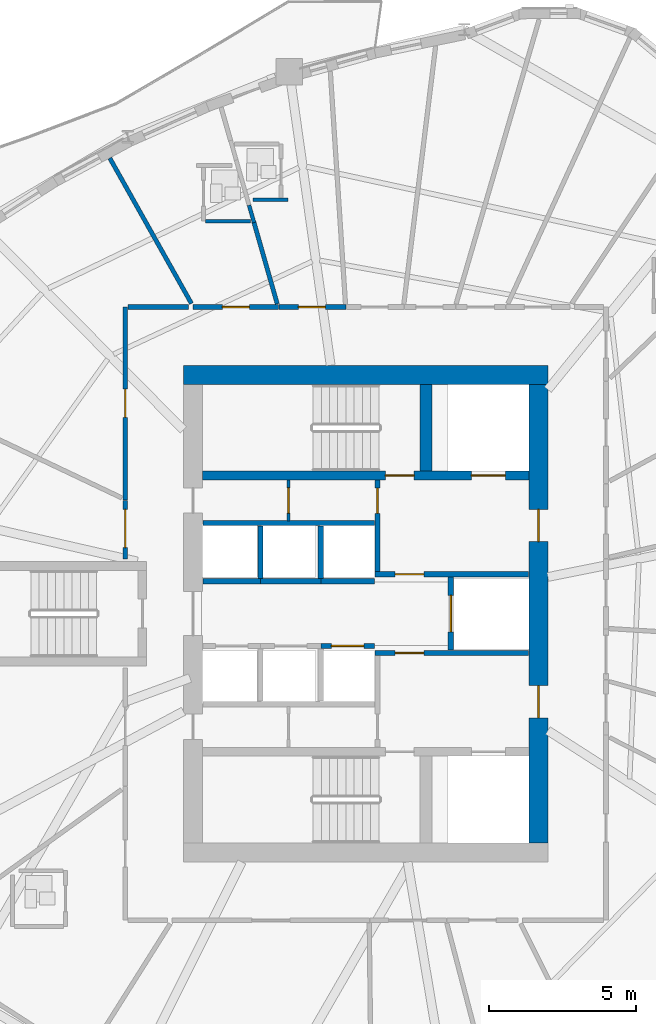
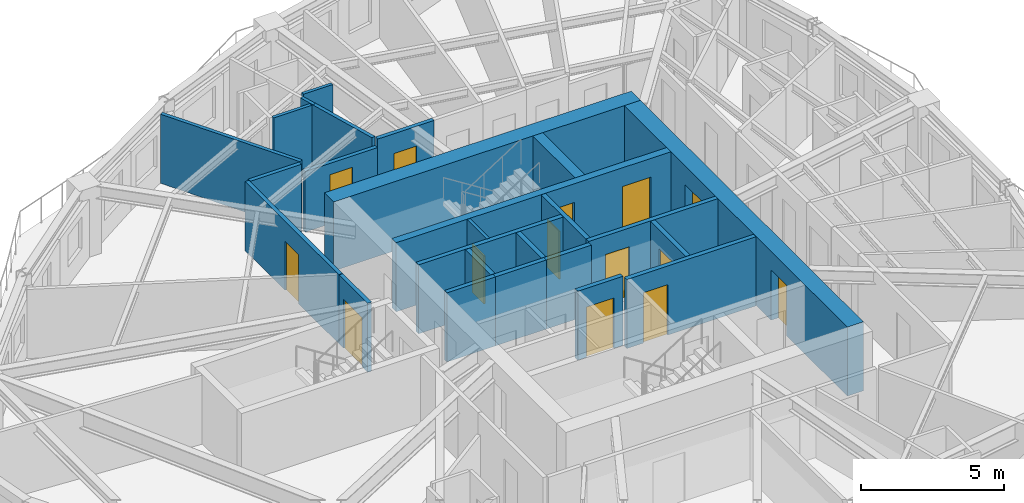
# One storey, part 8 of 17: 26 walls, 14 doors, 14 openings.
"""IFC4 building model written with IfcOpenShell, lengths in metres."""

import ifcopenshell
import ifcopenshell.guid

model = None  # the IFC model being written
_history = None  # IfcOwnerHistory: only IFC2X3 demands one
_inside = {}  # id of a spatial element -> (the spatial element, [elements in it])
_under = {}  # id of a project, library or spatial element -> (it, [spatial elements below it])
_declared = {}  # id of a project -> (the project, [libraries it declares])
_typed = {}  # id of a type object -> (the type object, [elements of that type])
_made_of = {}  # id of a material, layer set ... -> (it, [elements and type objects made of it])


def new_model(schema):
    """Start an empty IFC model of exactly this schema.

    Asked for "IFC4X3", IfcOpenShell would pick the latest addendum, in which some entities
    have other attributes; the version numbers below select the first issue.
    IFC2X3 requires an IfcOwnerHistory on every rooted entity: one is made here for all.
    """
    global model, _history
    if schema == "IFC4X3":
        model = ifcopenshell.file(schema_version=(4, 3, 0, 0))
    else:
        model = ifcopenshell.file(schema=schema)
    _inside.clear()
    _under.clear()
    _declared.clear()
    _typed.clear()
    _made_of.clear()
    _history = None
    if model.schema == "IFC2X3":
        org = make("IfcOrganization", Name="unknown")
        user = make(
            "IfcPersonAndOrganization",
            ThePerson=make("IfcPerson", FamilyName="unknown"),
            TheOrganization=org,
        )
        app = make(
            "IfcApplication",
            ApplicationDeveloper=org,
            Version="unknown",
            ApplicationFullName="unknown",
            ApplicationIdentifier="unknown",
        )
        _history = make(
            "IfcOwnerHistory",
            OwningUser=user,
            OwningApplication=app,
            ChangeAction="ADDED",
            CreationDate=0,
        )
    return model


def make(cls, **values):
    """One entity of the class cls with the attributes given. An attribute that is None is left unset."""
    return model.create_entity(
        cls, **{name: value for name, value in values.items() if value is not None}
    )


def rooted(cls, **values):
    """An entity with a GlobalId (a new one), such as an element, a storey or a relation."""
    return make(cls, GlobalId=ifcopenshell.guid.new(), OwnerHistory=_history, **values)


def si_unit(unit_type, name, prefix=None):
    """IfcSIUnit, for example si_unit("LENGTHUNIT", "METRE", prefix="MILLI")."""
    return make("IfcSIUnit", UnitType=unit_type, Prefix=prefix, Name=name)


def assignment(units):
    """IfcUnitAssignment: the units of a project."""
    return None if units is None else make("IfcUnitAssignment", Units=units)


def point(xyz):
    """IfcCartesianPoint."""
    return None if xyz is None else make("IfcCartesianPoint", Coordinates=xyz)


def direction(xyz):
    """IfcDirection."""
    return None if xyz is None else make("IfcDirection", DirectionRatios=xyz)


def frame(location, z_axis=None, x_axis=None):
    """IfcAxis2Placement3D, a coordinate frame: its origin and axes. An axis left out is left unset."""
    return make(
        "IfcAxis2Placement3D",
        Location=point(location),
        Axis=direction(z_axis),
        RefDirection=direction(x_axis),
    )


def frame_2d(location, x_axis=None):
    """IfcAxis2Placement2D, a coordinate frame in the plane: its origin and x axis."""
    return make(
        "IfcAxis2Placement2D", Location=point(location), RefDirection=direction(x_axis)
    )


def origin():
    """The frame at (0, 0, 0) with its axes left unset."""
    return frame((0.0, 0.0, 0.0))


def place(relative_to, where):
    """IfcLocalPlacement: puts the frame where relative to a parent placement (None: the world)."""
    return make(
        "IfcLocalPlacement", PlacementRelTo=relative_to, RelativePlacement=where
    )


def context(
    kind, dimensions, precision=None, world=None, true_north=None, identifier=None
):
    """IfcGeometricRepresentationContext, for example the 3D "Model" context."""
    return make(
        "IfcGeometricRepresentationContext",
        ContextIdentifier=identifier,
        ContextType=kind,
        CoordinateSpaceDimension=dimensions,
        Precision=precision,
        WorldCoordinateSystem=world,
        TrueNorth=true_north,
    )


def subcontext(parent, identifier, kind, view, scale=None):
    """IfcGeometricRepresentationSubContext, for example "Body" below "Model"."""
    return make(
        "IfcGeometricRepresentationSubContext",
        ContextIdentifier=identifier,
        ContextType=kind,
        ParentContext=parent,
        TargetScale=scale,
        TargetView=view,
    )


def project(units=None, contexts=None):
    """IfcProject with its units and contexts."""
    return rooted(
        "IfcProject",
        Name="project",
        RepresentationContexts=contexts,
        UnitsInContext=assignment(units),
    )


def spatial(cls, under=None, at=None, **own):
    """A site, building, storey or space (cls), placed at a placement, below another one or the project."""
    s = rooted(cls, ObjectPlacement=at, **own)
    if under is not None:
        _under.setdefault(under.id(), (under, []))[1].append(s)
    return s


def profile(cls, at=None, kind="AREA", **sizes):
    """A parametric profile (cls). Its sizes go by their IFC names, for example OverallWidth=200.0."""
    return make(cls, ProfileType=kind, Position=at, **sizes)


def rectangle(**sizes):
    """IfcRectangleProfileDef."""
    return profile("IfcRectangleProfileDef", **sizes)


def extrude(swept, where, along, depth):
    """IfcExtrudedAreaSolid: the profile swept, set in the frame where, extruded along a direction by depth."""
    return make(
        "IfcExtrudedAreaSolid",
        SweptArea=swept,
        Position=where,
        ExtrudedDirection=direction(along),
        Depth=depth,
    )


def shape(context_of_items, identifier, shape_type, items):
    """IfcShapeRepresentation: the items that make up one representation, for example the "Body"."""
    return make(
        "IfcShapeRepresentation",
        ContextOfItems=context_of_items,
        RepresentationIdentifier=identifier,
        RepresentationType=shape_type,
        Items=items,
    )


def source(mapping_origin, context_of_items, identifier, shape_type, items):
    """IfcRepresentationMap: a shape defined once, which mapped items show again and again."""
    return make(
        "IfcRepresentationMap",
        MappingOrigin=mapping_origin,
        MappedRepresentation=shape(context_of_items, identifier, shape_type, items),
    )


def transform(
    local_origin,
    x_axis=None,
    y_axis=None,
    z_axis=None,
    scale=None,
    scale2=None,
    scale3=None,
    uniform=True,
):
    """IfcCartesianTransformationOperator3D, or its non-uniform kind. x_axis, y_axis, z_axis: its Axis1, 2, 3."""
    if uniform:
        return make(
            "IfcCartesianTransformationOperator3D",
            Axis1=direction(x_axis),
            Axis2=direction(y_axis),
            LocalOrigin=point(local_origin),
            Scale=scale,
            Axis3=direction(z_axis),
        )
    return make(
        "IfcCartesianTransformationOperator3DnonUniform",
        Axis1=direction(x_axis),
        Axis2=direction(y_axis),
        LocalOrigin=point(local_origin),
        Scale=scale,
        Axis3=direction(z_axis),
        Scale2=scale2,
        Scale3=scale3,
    )


def mapped(mapping_source, mapping_target):
    """IfcMappedItem: shows the shape of a source again, moved by a transform."""
    return make(
        "IfcMappedItem", MappingSource=mapping_source, MappingTarget=mapping_target
    )


def material(Name=None, Category=None):
    """IfcMaterial."""
    return make("IfcMaterial", Name=Name, Category=Category)


def layer(
    of_material, thickness, ventilated=None, Name=None, Category=None, Priority=None
):
    """IfcMaterialLayer: one layer of a wall or slab, of a material (None: an air gap)."""
    return make(
        "IfcMaterialLayer",
        Material=of_material,
        LayerThickness=thickness,
        IsVentilated=ventilated,
        Name=Name,
        Category=Category,
        Priority=Priority,
    )


def layer_set(layers, Name=None):
    """IfcMaterialLayerSet."""
    return make("IfcMaterialLayerSet", MaterialLayers=layers, LayerSetName=Name)


def made_of(thing, what):
    """Note that an element or type object is made of a material, layer set ...; save() writes the relation."""
    if what is not None:
        _made_of.setdefault(what.id(), (what, []))[1].append(thing)
    return thing


def type_object(cls, material=None, **own):
    """A type object (cls), such as IfcWallType, which elements share."""
    return made_of(rooted(cls, **own), material)


def element(
    cls,
    number,
    at=None,
    inside=None,
    cuts=None,
    type_object=None,
    material=None,
    context=None,
    identifier="Body",
    shape_type=None,
    held_by="IfcProductDefinitionShape",
    body=None,
    shapes=None,
    **own,
):
    """One element of the class cls, such as IfcWall. Its Tag is "e" and its number.

    at: its placement. inside: the storey or other place that contains it. cuts: it is an
    opening in that element (IfcRelVoidsElement). A single representation is given by context,
    identifier, shape_type and body (its items); several are given by shapes. held_by: the class
    of the entity that holds the representations. save() writes the other relations.
    """
    e = rooted(cls, Tag="e%d" % number, ObjectPlacement=at, **own)
    if body is not None:
        shapes = [shape(context, identifier, shape_type, body)]
    if shapes is not None:
        e.Representation = make(held_by, Representations=shapes)
    if inside is not None:
        _inside.setdefault(inside.id(), (inside, []))[1].append(e)
    if cuts is not None:
        rooted(
            "IfcRelVoidsElement", RelatingBuildingElement=cuts, RelatedOpeningElement=e
        )
    if type_object is not None:
        _typed.setdefault(type_object.id(), (type_object, []))[1].append(e)
    return made_of(e, material)


def fill(opening, filler):
    """IfcRelFillsElement: the door or window that sits in an opening."""
    return rooted(
        "IfcRelFillsElement",
        RelatingOpeningElement=opening,
        RelatedBuildingElement=filler,
    )


def aggregate(whole, parts):
    """IfcRelAggregates: a whole, such as a stair, and the parts it consists of."""
    return rooted("IfcRelAggregates", RelatingObject=whole, RelatedObjects=parts)


def save(model, path):
    """Write the relations noted so far, then the file.

    IfcRelAggregates (storeys below a building ...), IfcRelContainedInSpatialStructure (elements
    in a storey), IfcRelDefinesByType, IfcRelAssociatesMaterial and IfcRelDeclares: one each for
    every whole, place, type object, material and project.
    """
    for whole, parts in _under.values():
        aggregate(whole, parts)
    for where, things in _inside.values():
        rooted(
            "IfcRelContainedInSpatialStructure",
            RelatedElements=things,
            RelatingStructure=where,
        )
    for kind, things in _typed.values():
        rooted("IfcRelDefinesByType", RelatedObjects=things, RelatingType=kind)
    for what, things in _made_of.values():
        rooted("IfcRelAssociatesMaterial", RelatedObjects=things, RelatingMaterial=what)
    for by, libraries in _declared.values():
        rooted("IfcRelDeclares", RelatingContext=by, RelatedDefinitions=libraries)
    model.write(path)


model = new_model("IFC4")

# Units and contexts
model_context = context("Model", 3, precision=1e-05, world=origin(), true_north=direction((0.0, 1.0)))
body_context = subcontext(model_context, "Body", "Model", "MODEL_VIEW")
ifc_project = project(units=[si_unit("LENGTHUNIT", "METRE"), si_unit("AREAUNIT", "SQUARE_METRE"), si_unit("VOLUMEUNIT", "CUBIC_METRE"), si_unit("PLANEANGLEUNIT", "RADIAN"), si_unit("MASSUNIT", "GRAM", prefix="KILO")], contexts=[model_context])

# Site, building, storey
site_placement = place(None, origin())
site = spatial("IfcSite", under=ifc_project, at=site_placement, CompositionType="ELEMENT")
building_placement = place(site_placement, origin())
building = spatial("IfcBuilding", under=site, at=building_placement, Name="Qafzar Sky-Pleat Residences", CompositionType="ELEMENT")
storey_placement = place(building_placement, frame((0.0, 0.0, 115.199951171875)))
storey = spatial("IfcBuildingStorey", under=building, at=storey_placement, Name="L34", CompositionType="ELEMENT", Elevation=115.199951171875)

# Wall, opening, door
ifc_material_1 = material(Name="Acoustic gypsum plasterboard partition", Category="gypsum")
ifc_layer_1 = layer(ifc_material_1, 0.159912109375)
ifc_layer_set_1 = layer_set([ifc_layer_1], Name="Acoustic gypsum plasterboard partition")
wall_type_1 = type_object("IfcWallType", Name="PART-COR-160", PredefinedType="PARTITIONING", material=ifc_layer_set_1)
wall_1_placement = place(storey_placement, frame((22.169921875, 29.864990234375, 0.0), z_axis=(0.0, 0.0, 1.0), x_axis=(0.0, 1.0, 0.0)))
wall_1 = element("IfcWall", 1, at=wall_1_placement, inside=storey, type_object=wall_type_1, Name="L34 Partition Wall PART-L34-PW-003", PredefinedType="PARTITIONING", context=body_context, shape_type="SweptSolid", body=[
    extrude(rectangle(XDim=6.56494140625, YDim=0.159912109375, at=frame_2d((3.282470703125, 0.0))), origin(), (0.0, 0.0, 1.0), 2.949951171875),
])
opening_1_placement = place(wall_1_placement, frame((2.810546875, 0.0, 0.0)))
opening_1 = element("IfcOpeningElement", 2, at=opening_1_placement, cuts=wall_1, Name="Opening ID-06", PredefinedType="OPENING", context=body_context, shape_type="SweptSolid", body=[
    extrude(rectangle(XDim=0.9599609375, YDim=2.10009765625, at=frame_2d((0.47998046875, 1.050048828125))), frame((0.0, 0.08984375, 0.0), z_axis=(0.0, -1.0, 0.0), x_axis=(1.0, 0.0, 0.0)), (0.0, 0.0, 1.0), 0.179931640625),
])
ifc_material_2 = material(Name="Timber-faced fire door", Category="wood")
door_type_1 = type_object("IfcDoorType", Name="DR-STD-960", OperationType="NOTDEFINED", PredefinedType="DOOR", material=ifc_material_2)
shared_shape_1 = source(origin(), body_context, "Body", "SweptSolid", [
    extrude(rectangle(XDim=0.9599609375, YDim=2.10009765625, at=frame_2d((0.47998046875, 1.050048828125))), frame((0.0, 0.02490234375, 0.0), z_axis=(0.0, -1.0, 0.0), x_axis=(1.0, 0.0, 0.0)), (0.0, 0.0, 1.0), 0.050048828125),
])
door_1_placement = place(opening_1_placement, origin())
door_1 = element("IfcDoor", 3, at=door_1_placement, inside=storey, type_object=door_type_1, Name="L34 Reading Library Door", OperationType="SINGLE_SWING_LEFT", OverallHeight=2.10009765625, OverallWidth=0.9599609375, PredefinedType="DOOR", context=body_context, shape_type="MappedRepresentation", body=[
    mapped(shared_shape_1, transform((0.0, 0.0, 0.0), x_axis=(1.0, 0.0, 0.0), y_axis=(0.0, 1.0, 0.0), z_axis=(0.0, 0.0, 1.0), scale=1.0)),
])
fill(opening_1, door_1)

wall_2_placement = place(storey_placement, frame((24.47412109375, 36.429931640625, 0.0), z_axis=(0.0, 0.0, 1.0), x_axis=(1.0, 0.0, 0.0)))
wall_2 = element("IfcWall", 4, at=wall_2_placement, inside=storey, type_object=wall_type_1, Name="L34 Partition Wall PART-L34-PW-009", PredefinedType="PARTITIONING", context=body_context, shape_type="SweptSolid", body=[
    extrude(rectangle(XDim=2.913818359375, YDim=0.159912109375, at=frame_2d((1.45703125, 0.0))), origin(), (0.0, 0.0, 1.0), 2.588134765625),
])
opening_2_placement = place(wall_2_placement, frame((0.99755859375, 0.0, 0.0)))
opening_2 = element("IfcOpeningElement", 5, at=opening_2_placement, cuts=wall_2, Name="Opening ID-04", PredefinedType="OPENING", context=body_context, shape_type="SweptSolid", body=[
    extrude(rectangle(XDim=0.919921875, YDim=2.10009765625, at=frame_2d((0.4599609375, 1.050048828125))), frame((0.0, 0.08984375, 0.0), z_axis=(0.0, -1.0, 0.0), x_axis=(1.0, 0.0, 0.0)), (0.0, 0.0, 1.0), 0.179931640625),
])
door_type_2 = type_object("IfcDoorType", Name="DR-BED-920", OperationType="NOTDEFINED", PredefinedType="DOOR", material=ifc_material_2)
shared_shape_2 = source(origin(), body_context, "Body", "SweptSolid", [
    extrude(rectangle(XDim=0.919921875, YDim=2.10009765625, at=frame_2d((0.4599609375, 1.050048828125))), frame((0.0, 0.02490234375, 0.0), z_axis=(0.0, -1.0, 0.0), x_axis=(1.0, 0.0, 0.0)), (0.0, 0.0, 1.0), 0.050048828125),
])
door_2_placement = place(opening_2_placement, origin())
door_2 = element("IfcDoor", 6, at=door_2_placement, inside=storey, type_object=door_type_2, Name="L34 Co-Living Bedroom 5 Door", OperationType="SINGLE_SWING_RIGHT", OverallHeight=2.10009765625, OverallWidth=0.919921875, PredefinedType="DOOR", context=body_context, shape_type="MappedRepresentation", body=[
    mapped(shared_shape_2, transform((0.0, 0.0, 0.0), x_axis=(1.0, 0.0, 0.0), y_axis=(0.0, 1.0, 0.0), z_axis=(0.0, 0.0, 1.0), scale=1.0)),
])
fill(opening_2, door_2)

wall_3_placement = place(storey_placement, frame((27.403076171875, 36.429931640625, 0.0), z_axis=(0.0, 0.0, 1.0), x_axis=(1.0, 0.0, 0.0)))
wall_3 = element("IfcWall", 7, at=wall_3_placement, inside=storey, type_object=wall_type_1, Name="L34 Partition Wall PART-L34-PW-015", PredefinedType="PARTITIONING", context=body_context, shape_type="SweptSolid", body=[
    extrude(rectangle(XDim=2.281982421875, YDim=0.159912109375, at=frame_2d((1.14111328125, 0.0))), origin(), (0.0, 0.0, 1.0), 2.949951171875),
])
opening_3_placement = place(wall_3_placement, frame((0.657958984375, 0.0, 0.0)))
opening_3 = element("IfcOpeningElement", 8, at=opening_3_placement, cuts=wall_3, Name="Opening ID-04", PredefinedType="OPENING", context=body_context, shape_type="SweptSolid", body=[
    extrude(rectangle(XDim=0.919921875, YDim=2.10009765625, at=frame_2d((0.4599609375, 1.050048828125))), frame((0.0, 0.08984375, 0.0), z_axis=(0.0, -1.0, 0.0), x_axis=(1.0, 0.0, 0.0)), (0.0, 0.0, 1.0), 0.179931640625),
])
door_3_placement = place(opening_3_placement, origin())
door_3 = element("IfcDoor", 9, at=door_3_placement, inside=storey, type_object=door_type_2, Name="L34 Co-Living Bedroom 6 Door", OperationType="SINGLE_SWING_LEFT", OverallHeight=2.10009765625, OverallWidth=0.919921875, PredefinedType="DOOR", context=body_context, shape_type="MappedRepresentation", body=[
    mapped(shared_shape_2, transform((0.0, 0.0, 0.0), x_axis=(1.0, 0.0, 0.0), y_axis=(0.0, 1.0, 0.0), z_axis=(0.0, 0.0, 1.0), scale=1.0)),
])
fill(opening_3, door_3)

wall_4_placement = place(storey_placement, frame((22.169921875, 27.85009765625, 0.0), z_axis=(0.0, 0.0, 1.0), x_axis=(0.0, 1.0, 0.0)))
wall_4 = element("IfcWall", 10, at=wall_4_placement, inside=storey, type_object=wall_type_1, Name="L34 Partition Wall PART-L34-PW-017", PredefinedType="PARTITIONING", context=body_context, shape_type="SweptSolid", body=[
    extrude(rectangle(XDim=2.0, YDim=0.159912109375, at=frame_2d((1.0, 0.0))), origin(), (0.0, 0.0, 1.0), 2.949951171875),
])
opening_4_placement = place(wall_4_placement, frame((0.39501953125, 0.0, 0.0)))
opening_4 = element("IfcOpeningElement", 11, at=opening_4_placement, cuts=wall_4, Name="Opening ID-05", PredefinedType="OPENING", context=body_context, shape_type="SweptSolid", body=[
    extrude(rectangle(XDim=1.300048828125, YDim=2.10009765625, at=frame_2d((0.64990234375, 1.050048828125))), frame((0.0, 0.08984375, 0.0), z_axis=(0.0, -1.0, 0.0), x_axis=(1.0, 0.0, 0.0)), (0.0, 0.0, 1.0), 0.179931640625),
])
door_type_3 = type_object("IfcDoorType", Name="DR-LNG-1300", OperationType="DOUBLE_DOOR_SINGLE_SWING", PredefinedType="DOOR", material=ifc_material_2)
shared_shape_3 = source(origin(), body_context, "Body", "SweptSolid", [
    extrude(rectangle(XDim=1.300048828125, YDim=2.10009765625, at=frame_2d((0.64990234375, 1.050048828125))), frame((0.0, 0.02490234375, 0.0), z_axis=(0.0, -1.0, 0.0), x_axis=(1.0, 0.0, 0.0)), (0.0, 0.0, 1.0), 0.050048828125),
])
door_4_placement = place(opening_4_placement, origin())
door_4 = element("IfcDoor", 12, at=door_4_placement, inside=storey, type_object=door_type_3, Name="L34 Tutorial Huddle Room Door", OperationType="DOUBLE_DOOR_SINGLE_SWING", OverallHeight=2.10009765625, OverallWidth=1.300048828125, PredefinedType="DOOR", context=body_context, shape_type="MappedRepresentation", body=[
    mapped(shared_shape_3, transform((0.0, 0.0, 0.0), x_axis=(1.0, 0.0, 0.0), y_axis=(0.0, 1.0, 0.0), z_axis=(0.0, 0.0, 1.0), scale=1.0)),
])
fill(opening_4, door_4)

# Wall
wall_5_placement = place(storey_placement, frame((22.258056640625, 36.429931640625, 0.0), z_axis=(0.0, 0.0, 1.0), x_axis=(1.0, 0.0, 0.0)))
element("IfcWall", 13, at=wall_5_placement, inside=storey, type_object=wall_type_1, Name="L34 Partition Wall PART-L34-PW-054", PredefinedType="PARTITIONING", context=body_context, shape_type="SweptSolid", body=[
    extrude(rectangle(XDim=2.06494140625, YDim=0.159912109375, at=frame_2d((1.032470703125, 0.0))), origin(), (0.0, 0.0, 1.0), 2.949951171875),
])

# Wall, opening, door
ifc_material_3 = material(Name="Concrete blockwork partition", Category="masonry")
ifc_layer_2 = layer(ifc_material_3, 0.179931640625)
ifc_layer_set_2 = layer_set([ifc_layer_2], Name="Concrete blockwork partition")
wall_type_2 = type_object("IfcWallType", Name="PART-SHAFT-180", PredefinedType="PARTITIONING", material=ifc_layer_set_2)
wall_6_placement = place(storey_placement, frame((30.669921875, 24.659912109375, 0.0), z_axis=(0.0, 0.0, 1.0), x_axis=(1.0, 0.0, 0.0)))
wall_6 = element("IfcWall", 14, at=wall_6_placement, inside=storey, type_object=wall_type_2, Name="L34 Partition Wall PART-L34-FFL1-N", PredefinedType="PARTITIONING", context=body_context, shape_type="SweptSolid", body=[
    extrude(rectangle(XDim=5.219970703125, YDim=0.179931640625, at=frame_2d((2.60986328125, 0.0))), origin(), (0.0, 0.0, 1.0), 2.949951171875),
])
opening_5_placement = place(wall_6_placement, frame((0.679931640625, 0.0, 0.0)))
opening_5 = element("IfcOpeningElement", 15, at=opening_5_placement, cuts=wall_6, Name="Opening ID-01", PredefinedType="OPENING", context=body_context, shape_type="SweptSolid", body=[
    extrude(rectangle(XDim=0.97998046875, YDim=2.14990234375, at=frame_2d((0.489990234375, 1.074951171875))), frame((0.0, 0.10009765625, 0.0), z_axis=(0.0, -1.0, 0.0), x_axis=(1.0, 0.0, 0.0)), (0.0, 0.0, 1.0), 0.199951171875),
])
door_type_4 = type_object("IfcDoorType", Name="DR-STAIR-980", OperationType="NOTDEFINED", PredefinedType="DOOR", material=ifc_material_2)
shared_shape_4 = source(origin(), body_context, "Body", "SweptSolid", [
    extrude(rectangle(XDim=0.97998046875, YDim=2.14990234375, at=frame_2d((0.489990234375, 1.074951171875))), frame((0.0, 0.02490234375, 0.0), z_axis=(0.0, -1.0, 0.0), x_axis=(1.0, 0.0, 0.0)), (0.0, 0.0, 1.0), 0.050048828125),
])
door_5_placement = place(opening_5_placement, origin())
door_5 = element("IfcDoor", 16, at=door_5_placement, inside=storey, type_object=door_type_4, Name="L34 Lift Lobby to South Firefighting Lobby Door", OperationType="SINGLE_SWING_RIGHT", OverallHeight=2.14990234375, OverallWidth=0.97998046875, PredefinedType="DOOR", context=body_context, shape_type="MappedRepresentation", body=[
    mapped(shared_shape_4, transform((0.0, 0.0, 0.0), x_axis=(1.0, 0.0, 0.0), y_axis=(0.0, 1.0, 0.0), z_axis=(0.0, 0.0, 1.0), scale=1.0)),
])
fill(opening_5, door_5)

wall_7_placement = place(storey_placement, frame((30.75, 27.429931640625, 0.0), z_axis=(0.0, 0.0, 1.0), x_axis=(0.0, 1.0, 0.0)))
wall_7 = element("IfcWall", 17, at=wall_7_placement, inside=storey, type_object=wall_type_2, Name="L34 Partition Wall PART-L34-FFL2-W", PredefinedType="PARTITIONING", context=body_context, shape_type="SweptSolid", body=[
    extrude(rectangle(XDim=3.110107421875, YDim=0.179931640625, at=frame_2d((1.55517578125, 0.0))), origin(), (0.0, 0.0, 1.0), 2.949951171875),
])
opening_6_placement = place(wall_7_placement, frame((1.97998046875, 0.0, 0.0)))
opening_6 = element("IfcOpeningElement", 18, at=opening_6_placement, cuts=wall_7, Name="Opening ID-09", PredefinedType="OPENING", context=body_context, shape_type="SweptSolid", body=[
    extrude(rectangle(XDim=0.860107421875, YDim=2.050048828125, at=frame_2d((0.43017578125, 1.02490234375))), frame((0.0, 0.10009765625, 0.0), z_axis=(0.0, -1.0, 0.0), x_axis=(1.0, 0.0, 0.0)), (0.0, 0.0, 1.0), 0.199951171875),
])
door_type_5 = type_object("IfcDoorType", Name="DR-SVC-860", OperationType="NOTDEFINED", PredefinedType="DOOR", material=ifc_material_2)
shared_shape_5 = source(origin(), body_context, "Body", "SweptSolid", [
    extrude(rectangle(XDim=0.860107421875, YDim=2.050048828125, at=frame_2d((0.43017578125, 1.02490234375))), frame((0.0, 0.02490234375, 0.0), z_axis=(0.0, -1.0, 0.0), x_axis=(1.0, 0.0, 0.0)), (0.0, 0.0, 1.0), 0.050048828125),
])
door_6_placement = place(opening_6_placement, origin())
door_6 = element("IfcDoor", 19, at=door_6_placement, inside=storey, type_object=door_type_5, Name="L34 North Core Cupboard Door", OperationType="SINGLE_SWING_LEFT", OverallHeight=2.050048828125, OverallWidth=0.860107421875, PredefinedType="DOOR", context=body_context, shape_type="MappedRepresentation", body=[
    mapped(shared_shape_5, transform((0.0, 0.0, 0.0), x_axis=(1.0, 0.0, 0.0), y_axis=(0.0, 1.0, 0.0), z_axis=(0.0, 0.0, 1.0), scale=1.0)),
])
fill(opening_6, door_6)

wall_8_placement = place(storey_placement, frame((30.669921875, 27.340087890625, 0.0), z_axis=(0.0, 0.0, 1.0), x_axis=(1.0, 0.0, 0.0)))
wall_8 = element("IfcWall", 20, at=wall_8_placement, inside=storey, type_object=wall_type_2, Name="L34 Partition Wall PART-L34-FFL2-S", PredefinedType="PARTITIONING", context=body_context, shape_type="SweptSolid", body=[
    extrude(rectangle(XDim=5.219970703125, YDim=0.179931640625, at=frame_2d((2.60986328125, 0.0))), origin(), (0.0, 0.0, 1.0), 2.949951171875),
])
opening_7_placement = place(wall_8_placement, frame((0.679931640625, 0.0, 0.0)))
opening_7 = element("IfcOpeningElement", 21, at=opening_7_placement, cuts=wall_8, Name="Opening ID-01", PredefinedType="OPENING", context=body_context, shape_type="SweptSolid", body=[
    extrude(rectangle(XDim=0.97998046875, YDim=2.14990234375, at=frame_2d((0.489990234375, 1.074951171875))), frame((0.0, 0.10009765625, 0.0), z_axis=(0.0, -1.0, 0.0), x_axis=(1.0, 0.0, 0.0)), (0.0, 0.0, 1.0), 0.199951171875),
])
door_7_placement = place(opening_7_placement, origin())
door_7 = element("IfcDoor", 22, at=door_7_placement, inside=storey, type_object=door_type_4, Name="L34 Lift Lobby to North Firefighting Lobby Door", OperationType="SINGLE_SWING_RIGHT", OverallHeight=2.14990234375, OverallWidth=0.97998046875, PredefinedType="DOOR", context=body_context, shape_type="MappedRepresentation", body=[
    mapped(shared_shape_4, transform((0.0, 0.0, 0.0), x_axis=(1.0, 0.0, 0.0), y_axis=(0.0, 1.0, 0.0), z_axis=(0.0, 0.0, 1.0), scale=1.0)),
])
fill(opening_7, door_7)

wall_9_placement = place(storey_placement, frame((33.25, 24.760009765625, 0.0), z_axis=(0.0, 0.0, 1.0), x_axis=(0.0, 1.0, 0.0)))
wall_9 = element("IfcWall", 23, at=wall_9_placement, inside=storey, type_object=wall_type_2, Name="L34 Partition Wall PART-L34-SV1-W", PredefinedType="PARTITIONING", context=body_context, shape_type="SweptSolid", body=[
    extrude(rectangle(XDim=2.47998046875, YDim=0.179931640625, at=frame_2d((1.239990234375, 0.0))), origin(), (0.0, 0.0, 1.0), 2.949951171875),
])
opening_8_placement = place(wall_9_placement, frame((0.614990234375, 0.0, 0.0)))
opening_8 = element("IfcOpeningElement", 24, at=opening_8_placement, cuts=wall_9, Name="Opening LD-03", PredefinedType="OPENING", context=body_context, shape_type="SweptSolid", body=[
    extrude(rectangle(XDim=1.25, YDim=2.14990234375, at=frame_2d((0.625, 1.074951171875))), frame((0.0, 0.10009765625, 0.0), z_axis=(0.0, -1.0, 0.0), x_axis=(1.0, 0.0, 0.0)), (0.0, 0.0, 1.0), 0.199951171875),
])
ifc_material_4 = material(Name="Stainless steel sliding landing door", Category="steel")
door_type_6 = type_object("IfcDoorType", Name="DR-LIFT-SV", OperationType="DOUBLE_DOOR_SLIDING", PredefinedType="DOOR", material=ifc_material_4)
shared_shape_6 = source(origin(), body_context, "Body", "SweptSolid", [
    extrude(rectangle(XDim=1.25, YDim=2.14990234375, at=frame_2d((0.625, 1.074951171875))), frame((0.0, 0.02490234375, 0.0), z_axis=(0.0, -1.0, 0.0), x_axis=(1.0, 0.0, 0.0)), (0.0, 0.0, 1.0), 0.050048828125),
])
door_8_placement = place(opening_8_placement, origin())
door_8 = element("IfcDoor", 25, at=door_8_placement, inside=storey, type_object=door_type_6, Name="L34 Service Lift SV1 Landing Door", OperationType="DOUBLE_DOOR_SLIDING", OverallHeight=2.14990234375, OverallWidth=1.25, PredefinedType="DOOR", context=body_context, shape_type="MappedRepresentation", body=[
    mapped(shared_shape_6, transform((0.0, 0.0, 0.0), x_axis=(1.0, 0.0, 0.0), y_axis=(0.0, 1.0, 0.0), z_axis=(0.0, 0.0, 1.0), scale=1.0)),
])
fill(opening_8, door_8)

wall_10_placement = place(storey_placement, frame((28.824951171875, 24.89990234375, 0.0), z_axis=(0.0, 0.0, 1.0), x_axis=(1.0, 0.0, 0.0)))
wall_10 = element("IfcWall", 26, at=wall_10_placement, inside=storey, type_object=wall_type_2, Name="L34 Partition Wall PART-L34-P3-N", PredefinedType="PARTITIONING", context=body_context, shape_type="SweptSolid", body=[
    extrude(rectangle(XDim=1.824951171875, YDim=0.179931640625, at=frame_2d((0.91259765625, 0.0))), origin(), (0.0, 0.0, 1.0), 2.949951171875),
])
opening_9_placement = place(wall_10_placement, frame((0.362548828125, 0.0, 0.0)))
opening_9 = element("IfcOpeningElement", 27, at=opening_9_placement, cuts=wall_10, Name="Opening LD-01", PredefinedType="OPENING", context=body_context, shape_type="SweptSolid", body=[
    extrude(rectangle(XDim=1.10009765625, YDim=2.14990234375, at=frame_2d((0.550048828125, 1.074951171875))), frame((0.0, 0.10009765625, 0.0), z_axis=(0.0, -1.0, 0.0), x_axis=(1.0, 0.0, 0.0)), (0.0, 0.0, 1.0), 0.199951171875),
])
door_type_7 = type_object("IfcDoorType", Name="DR-LIFT-P", OperationType="DOUBLE_DOOR_SLIDING", PredefinedType="DOOR", material=ifc_material_4)
shared_shape_7 = source(origin(), body_context, "Body", "SweptSolid", [
    extrude(rectangle(XDim=1.10009765625, YDim=2.14990234375, at=frame_2d((0.550048828125, 1.074951171875))), frame((0.0, 0.02490234375, 0.0), z_axis=(0.0, -1.0, 0.0), x_axis=(1.0, 0.0, 0.0)), (0.0, 0.0, 1.0), 0.050048828125),
])
door_9_placement = place(opening_9_placement, origin())
door_9 = element("IfcDoor", 28, at=door_9_placement, inside=storey, type_object=door_type_7, Name="L34 Passenger Lift P3 Landing Door", OperationType="DOUBLE_DOOR_SLIDING", OverallHeight=2.14990234375, OverallWidth=1.10009765625, PredefinedType="DOOR", context=body_context, shape_type="MappedRepresentation", body=[
    mapped(shared_shape_7, transform((0.0, 0.0, 0.0), x_axis=(1.0, 0.0, 0.0), y_axis=(0.0, 1.0, 0.0), z_axis=(0.0, 0.0, 1.0), scale=1.0)),
])
fill(opening_9, door_9)

# Walls
wall_11_placement = place(storey_placement, frame((24.81005859375, 29.080078125, 0.0), z_axis=(0.0, 0.0, 1.0), x_axis=(1.0, 0.0, 0.0)))
element("IfcWall", 29, at=wall_11_placement, inside=storey, type_object=wall_type_2, Name="L34 Partition Wall PART-L34-P46-N", PredefinedType="PARTITIONING", context=body_context, shape_type="SweptSolid", body=[
    extrude(rectangle(XDim=5.83984375, YDim=0.179931640625, at=frame_2d((2.919921875, 0.0))), origin(), (0.0, 0.0, 1.0), 2.949951171875),
])
wall_12_placement = place(storey_placement, frame((24.81005859375, 27.10009765625, 0.0), z_axis=(0.0, 0.0, 1.0), x_axis=(1.0, 0.0, 0.0)))
element("IfcWall", 30, at=wall_12_placement, inside=storey, type_object=wall_type_2, Name="L34 Partition Wall PART-L34-P4-S", PredefinedType="PARTITIONING", context=body_context, shape_type="SweptSolid", body=[
    extrude(rectangle(XDim=1.96484375, YDim=0.179931640625, at=frame_2d((0.982421875, 0.0))), origin(), (0.0, 0.0, 1.0), 2.949951171875),
])
wall_13_placement = place(storey_placement, frame((26.77490234375, 27.10009765625, 0.0), z_axis=(0.0, 0.0, 1.0), x_axis=(1.0, 0.0, 0.0)))
element("IfcWall", 31, at=wall_13_placement, inside=storey, type_object=wall_type_2, Name="L34 Partition Wall PART-L34-P5-S", PredefinedType="PARTITIONING", context=body_context, shape_type="SweptSolid", body=[
    extrude(rectangle(XDim=2.050048828125, YDim=0.179931640625, at=frame_2d((1.02490234375, 0.0))), origin(), (0.0, 0.0, 1.0), 2.949951171875),
])
wall_14_placement = place(storey_placement, frame((26.77490234375, 27.199951171875, 0.0), z_axis=(0.0, 0.0, 1.0), x_axis=(0.0, 1.0, 0.0)))
element("IfcWall", 32, at=wall_14_placement, inside=storey, type_object=wall_type_2, Name="L34 Partition Wall PART-L34-P46-DIV-1", PredefinedType="PARTITIONING", context=body_context, shape_type="SweptSolid", body=[
    extrude(rectangle(XDim=1.780029296875, YDim=0.179931640625, at=frame_2d((0.89013671875, 0.0))), origin(), (0.0, 0.0, 1.0), 2.949951171875),
])
wall_15_placement = place(storey_placement, frame((28.824951171875, 27.10009765625, 0.0), z_axis=(0.0, 0.0, 1.0), x_axis=(1.0, 0.0, 0.0)))
element("IfcWall", 33, at=wall_15_placement, inside=storey, type_object=wall_type_2, Name="L34 Partition Wall PART-L34-P6-S", PredefinedType="PARTITIONING", context=body_context, shape_type="SweptSolid", body=[
    extrude(rectangle(XDim=1.824951171875, YDim=0.179931640625, at=frame_2d((0.91259765625, 0.0))), origin(), (0.0, 0.0, 1.0), 2.949951171875),
])
wall_16_placement = place(storey_placement, frame((28.824951171875, 27.199951171875, 0.0), z_axis=(0.0, 0.0, 1.0), x_axis=(0.0, 1.0, 0.0)))
element("IfcWall", 34, at=wall_16_placement, inside=storey, type_object=wall_type_2, Name="L34 Partition Wall PART-L34-P46-DIV-2", PredefinedType="PARTITIONING", context=body_context, shape_type="SweptSolid", body=[
    extrude(rectangle(XDim=1.780029296875, YDim=0.179931640625, at=frame_2d((0.89013671875, 0.0))), origin(), (0.0, 0.0, 1.0), 2.949951171875),
])

# Wall, opening, door
ifc_material_5 = material(Name="Gypsum plasterboard partition", Category="gypsum")
ifc_layer_3 = layer(ifc_material_5, 0.114990234375)
ifc_layer_set_3 = layer_set([ifc_layer_3], Name="Gypsum plasterboard partition")
wall_type_3 = type_object("IfcWallType", Name="PART-SVC-115", PredefinedType="PARTITIONING", material=ifc_layer_set_3)
wall_17_placement = place(storey_placement, frame((27.72509765625, 29.159912109375, 0.0), z_axis=(0.0, 0.0, 1.0), x_axis=(0.0, 1.0, 0.0)))
wall_17 = element("IfcWall", 35, at=wall_17_placement, inside=storey, type_object=wall_type_3, Name="L34 Partition Wall PART-L34-KB-NW", PredefinedType="PARTITIONING", context=body_context, shape_type="SweptSolid", body=[
    extrude(rectangle(XDim=1.380126953125, YDim=0.114990234375, at=frame_2d((0.68994140625, 0.0))), origin(), (0.0, 0.0, 1.0), 2.949951171875),
])
opening_10_placement = place(wall_17_placement, frame((0.260009765625, 0.0, 0.0)))
opening_10 = element("IfcOpeningElement", 36, at=opening_10_placement, cuts=wall_17, Name="Opening ID-09", PredefinedType="OPENING", context=body_context, shape_type="SweptSolid", body=[
    extrude(rectangle(XDim=0.860107421875, YDim=2.050048828125, at=frame_2d((0.43017578125, 1.02490234375))), frame((0.0, 0.0673828125, 0.0), z_axis=(0.0, -1.0, 0.0), x_axis=(1.0, 0.0, 0.0)), (0.0, 0.0, 1.0), 0.135009765625),
])
door_10_placement = place(opening_10_placement, origin())
door_10 = element("IfcDoor", 37, at=door_10_placement, inside=storey, type_object=door_type_5, Name="L34 IT Cupboard Door", OperationType="SINGLE_SWING_RIGHT", OverallHeight=2.050048828125, OverallWidth=0.860107421875, PredefinedType="DOOR", context=body_context, shape_type="MappedRepresentation", body=[
    mapped(shared_shape_5, transform((0.0, 0.0, 0.0), x_axis=(1.0, 0.0, 0.0), y_axis=(0.0, 1.0, 0.0), z_axis=(0.0, 0.0, 1.0), scale=1.0)),
])
fill(opening_10, door_10)

# Walls
ifc_layer_4 = layer(ifc_material_1, 0.14501953125)
ifc_layer_set_4 = layer_set([ifc_layer_4], Name="Acoustic gypsum plasterboard partition")
wall_type_4 = type_object("IfcWallType", Name="PART-UNIT-145", PredefinedType="PARTITIONING", material=ifc_layer_set_4)
wall_18_placement = place(storey_placement, frame((21.645263671875, 41.49658203125, 0.0), z_axis=(0.0, 0.0, 1.0), x_axis=(0.489699005063, -0.871891555436, 0.0)))
element("IfcWall", 38, at=wall_18_placement, inside=storey, type_object=wall_type_4, Name="L34 Partition Wall PART-L34-PW-043", PredefinedType="PARTITIONING", context=body_context, shape_type="SweptSolid", body=[
    extrude(rectangle(XDim=5.670654296875, YDim=0.14501953125, at=frame_2d((2.83544921875, 0.0))), origin(), (0.0, 0.0, 1.0), 2.949951171875),
])
wall_19_placement = place(storey_placement, frame((26.5390625, 39.35107421875, 0.0), z_axis=(0.0, 0.0, 1.0), x_axis=(0.274214096408, -0.961668669205, 0.0)))
element("IfcWall", 39, at=wall_19_placement, inside=storey, type_object=wall_type_4, Name="L34 Partition Wall PART-L34-PW-050", PredefinedType="PARTITIONING", context=body_context, shape_type="SweptSolid", body=[
    extrude(rectangle(XDim=2.925537109375, YDim=0.14501953125, at=frame_2d((1.462890625, 0.0))), origin(), (0.0, 0.0, 1.0), 2.949951171875),
])
ifc_material_6 = material(Name="Moisture-resistant gypsum partition", Category="gypsum")
ifc_layer_5 = layer(ifc_material_6, 0.1298828125)
ifc_layer_set_5 = layer_set([ifc_layer_5], Name="Moisture-resistant gypsum partition")
wall_type_5 = type_object("IfcWallType", Name="PART-WET-130", PredefinedType="PARTITIONING", material=ifc_layer_set_5)
wall_20_placement = place(storey_placement, frame((24.904052734375, 39.35107421875, 0.0), z_axis=(0.0, 0.0, 1.0), x_axis=(1.0, 0.0, 0.0)))
element("IfcWall", 40, at=wall_20_placement, inside=storey, type_object=wall_type_5, Name="L34 Partition Wall PART-L34-PW-065", PredefinedType="PARTITIONING", context=body_context, shape_type="SweptSolid", body=[
    extrude(rectangle(XDim=1.532958984375, YDim=0.1298828125, at=frame_2d((0.7666015625, 0.0))), origin(), (0.0, 0.0, 1.0), 2.949951171875),
])
wall_21_placement = place(storey_placement, frame((26.52001953125, 40.0810546875, 0.0), z_axis=(0.0, 0.0, 1.0), x_axis=(1.0, 0.0, 0.0)))
element("IfcWall", 41, at=wall_21_placement, inside=storey, type_object=wall_type_5, Name="L34 Partition Wall PART-L34-PW-085", PredefinedType="PARTITIONING", context=body_context, shape_type="SweptSolid", body=[
    extrude(rectangle(XDim=1.18994140625, YDim=0.1298828125, at=frame_2d((0.594970703125, 0.0))), origin(), (0.0, 0.0, 1.0), 2.949951171875),
])
wall_22_placement = place(storey_placement, frame((26.382568359375, 39.89794921875, 0.0), z_axis=(0.0, 0.0, 1.0), x_axis=(0.274982401426, -0.961449259663, 0.0)))
element("IfcWall", 42, at=wall_22_placement, inside=storey, type_object=wall_type_5, Name="L34 Partition Wall PART-L34-PW-089", PredefinedType="PARTITIONING", context=body_context, shape_type="SweptSolid", body=[
    extrude(rectangle(XDim=0.616943359375, YDim=0.1298828125, at=frame_2d((0.30859375, 0.0))), origin(), (0.0, 0.0, 1.0), 2.949951171875),
])

# Wall, openings, doors
ifc_material_7 = material(Name="Concrete C60/75", Category="concrete")
ifc_layer_6 = layer(ifc_material_7, 0.300048828125)
ifc_layer_set_6 = layer_set([ifc_layer_6], Name="Concrete C60/75")
wall_type_6 = type_object("IfcWallType", Name="WALL-SHEAR-300", PredefinedType="SHEAR", material=ifc_layer_set_6)
wall_23_placement = place(storey_placement, frame((24.800048828125, 30.699951171875, 0.0), z_axis=(0.0, 0.0, 1.0), x_axis=(1.0, 0.0, 0.0)))
wall_23 = element("IfcWall", 43, at=wall_23_placement, inside=storey, type_object=wall_type_6, Name="L34 Stair ST2 and FF2 Shaft South Wall", PredefinedType="SHEAR", context=body_context, shape_type="SweptSolid", body=[
    extrude(rectangle(XDim=11.099853515625, YDim=0.300048828125, at=frame_2d((5.5498046875, 0.0))), origin(), (0.0, 0.0, 1.0), 2.949951171875),
])
opening_11_placement = place(wall_23_placement, frame((6.219970703125, 0.0, 0.0)))
opening_11 = element("IfcOpeningElement", 44, at=opening_11_placement, cuts=wall_23, Name="Opening ID-01", PredefinedType="OPENING", context=body_context, shape_type="SweptSolid", body=[
    extrude(rectangle(XDim=0.97998046875, YDim=2.14990234375, at=frame_2d((0.489990234375, 1.074951171875))), frame((0.0, 0.16015625, 0.0), z_axis=(0.0, -1.0, 0.0), x_axis=(1.0, 0.0, 0.0)), (0.0, 0.0, 1.0), 0.320068359375),
])
opening_12_placement = place(wall_23_placement, frame((9.14990234375, 0.0, 0.0)))
opening_12 = element("IfcOpeningElement", 45, at=opening_12_placement, cuts=wall_23, Name="Opening LD-02", PredefinedType="OPENING", context=body_context, shape_type="SweptSolid", body=[
    extrude(rectangle(XDim=1.14990234375, YDim=2.14990234375, at=frame_2d((0.574951171875, 1.074951171875))), frame((0.0, 0.16015625, 0.0), z_axis=(0.0, -1.0, 0.0), x_axis=(1.0, 0.0, 0.0)), (0.0, 0.0, 1.0), 0.320068359375),
])
door_11_placement = place(opening_11_placement, origin())
door_11 = element("IfcDoor", 46, at=door_11_placement, inside=storey, type_object=door_type_4, Name="L34 Stair ST2 Fire Door", OperationType="SINGLE_SWING_LEFT", OverallHeight=2.14990234375, OverallWidth=0.97998046875, PredefinedType="DOOR", context=body_context, shape_type="MappedRepresentation", body=[
    mapped(shared_shape_4, transform((0.0, 0.0, 0.0), x_axis=(1.0, 0.0, 0.0), y_axis=(0.0, 1.0, 0.0), z_axis=(0.0, 0.0, 1.0), scale=1.0)),
])
fill(opening_11, door_11)
door_type_8 = type_object("IfcDoorType", Name="DR-LIFT-FF", OperationType="DOUBLE_DOOR_SLIDING", PredefinedType="DOOR", material=ifc_material_4)
shared_shape_8 = source(origin(), body_context, "Body", "SweptSolid", [
    extrude(rectangle(XDim=1.14990234375, YDim=2.14990234375, at=frame_2d((0.574951171875, 1.074951171875))), frame((0.0, 0.02490234375, 0.0), z_axis=(0.0, -1.0, 0.0), x_axis=(1.0, 0.0, 0.0)), (0.0, 0.0, 1.0), 0.050048828125),
])
door_12_placement = place(opening_12_placement, origin())
door_12 = element("IfcDoor", 47, at=door_12_placement, inside=storey, type_object=door_type_8, Name="L34 Firefighting Lift FF2 Landing Door", OperationType="DOUBLE_DOOR_SLIDING", OverallHeight=2.14990234375, OverallWidth=1.14990234375, PredefinedType="DOOR", context=body_context, shape_type="MappedRepresentation", body=[
    mapped(shared_shape_8, transform((0.0, 0.0, 0.0), x_axis=(1.0, 0.0, 0.0), y_axis=(0.0, 1.0, 0.0), z_axis=(0.0, 0.0, 1.0), scale=1.0)),
])
fill(opening_12, door_12)

# Walls
ifc_layer_7 = layer(ifc_material_7, 0.39990234375)
ifc_layer_set_7 = layer_set([ifc_layer_7], Name="Concrete C60/75")
wall_type_7 = type_object("IfcWallType", Name="WALL-SHEAR-400", PredefinedType="SHEAR", material=ifc_layer_set_7)
wall_24_placement = place(storey_placement, frame((32.39990234375, 30.85009765625, 0.0), z_axis=(0.0, 0.0, 1.0), x_axis=(0.0, 1.0, 0.0)))
element("IfcWall", 48, at=wall_24_placement, inside=storey, type_object=wall_type_7, Name="L34 Stair ST2 East Dividing Wall", PredefinedType="SHEAR", context=body_context, shape_type="SweptSolid", body=[
    extrude(rectangle(XDim=2.949951171875, YDim=0.39990234375, at=frame_2d((1.47509765625, 0.0))), origin(), (0.0, 0.0, 1.0), 2.949951171875),
])
ifc_layer_8 = layer(ifc_material_7, 0.64990234375)
ifc_layer_set_8 = layer_set([ifc_layer_8], Name="Concrete C60/75")
wall_type_8 = type_object("IfcWallType", Name="WALL-SHEAR-650", PredefinedType="SHEAR", material=ifc_layer_set_8)
wall_25_placement = place(storey_placement, frame((36.550048828125, 34.125, 0.0), z_axis=(0.0, 0.0, 1.0), x_axis=(-1.0, 0.0, 0.0)))
element("IfcWall", 49, at=wall_25_placement, inside=storey, type_object=wall_type_8, Name="L34 CORE wall N", PredefinedType="SHEAR", context=body_context, shape_type="SweptSolid", body=[
    extrude(rectangle(XDim=12.400146484375, YDim=0.64990234375, at=frame_2d((6.2001953125, 0.0))), origin(), (0.0, 0.0, 1.0), 2.949951171875),
])

# Wall, openings, doors
wall_26_placement = place(storey_placement, frame((36.22509765625, 18.199951171875, 0.0), z_axis=(0.0, 0.0, 1.0), x_axis=(0.0, 1.0, 0.0)))
wall_26 = element("IfcWall", 50, at=wall_26_placement, inside=storey, type_object=wall_type_8, Name="L34 CORE wall E", PredefinedType="SHEAR", context=body_context, shape_type="SweptSolid", body=[
    extrude(rectangle(XDim=15.60009765625, YDim=0.64990234375, at=frame_2d((7.800048828125, 0.0))), origin(), (0.0, 0.0, 1.0), 2.949951171875),
])
opening_13_placement = place(wall_26_placement, frame((4.25, 0.0, 0.0)))
opening_13 = element("IfcOpeningElement", 51, at=opening_13_placement, cuts=wall_26, Name="Opening ID-02", PredefinedType="OPENING", context=body_context, shape_type="SweptSolid", body=[
    extrude(rectangle(XDim=1.10009765625, YDim=2.14990234375, at=frame_2d((0.550048828125, 1.074951171875))), frame((0.0, 0.3349609375, 0.0), z_axis=(0.0, -1.0, 0.0), x_axis=(1.0, 0.0, 0.0)), (0.0, 0.0, 1.0), 0.669921875),
])
opening_14_placement = place(wall_26_placement, frame((10.25, 0.0, 0.0)))
opening_14 = element("IfcOpeningElement", 52, at=opening_14_placement, cuts=wall_26, Name="Opening ID-02", PredefinedType="OPENING", context=body_context, shape_type="SweptSolid", body=[
    extrude(rectangle(XDim=1.10009765625, YDim=2.14990234375, at=frame_2d((0.550048828125, 1.074951171875))), frame((0.0, 0.3349609375, 0.0), z_axis=(0.0, -1.0, 0.0), x_axis=(1.0, 0.0, 0.0)), (0.0, 0.0, 1.0), 0.669921875),
])
door_type_9 = type_object("IfcDoorType", Name="DR-FFL-1100", OperationType="NOTDEFINED", PredefinedType="DOOR", material=ifc_material_2)
door_13_placement = place(opening_13_placement, origin())
door_13 = element("IfcDoor", 53, at=door_13_placement, inside=storey, type_object=door_type_9, Name="L34 Firefighting Lobby South Corridor Door", OperationType="SINGLE_SWING_LEFT", OverallHeight=2.14990234375, OverallWidth=1.10009765625, PredefinedType="DOOR", context=body_context, shape_type="MappedRepresentation", body=[
    mapped(shared_shape_7, transform((0.0, 0.0, 0.0), x_axis=(1.0, 0.0, 0.0), y_axis=(0.0, 1.0, 0.0), z_axis=(0.0, 0.0, 1.0), scale=1.0)),
])
fill(opening_13, door_13)
door_14_placement = place(opening_14_placement, origin())
door_14 = element("IfcDoor", 54, at=door_14_placement, inside=storey, type_object=door_type_9, Name="L34 Firefighting Lobby North Corridor Door", OperationType="SINGLE_SWING_RIGHT", OverallHeight=2.14990234375, OverallWidth=1.10009765625, PredefinedType="DOOR", context=body_context, shape_type="MappedRepresentation", body=[
    mapped(shared_shape_7, transform((0.0, 0.0, 0.0), x_axis=(1.0, 0.0, 0.0), y_axis=(0.0, 1.0, 0.0), z_axis=(0.0, 0.0, 1.0), scale=1.0)),
])
fill(opening_14, door_14)

save(model, "model.ifc")
